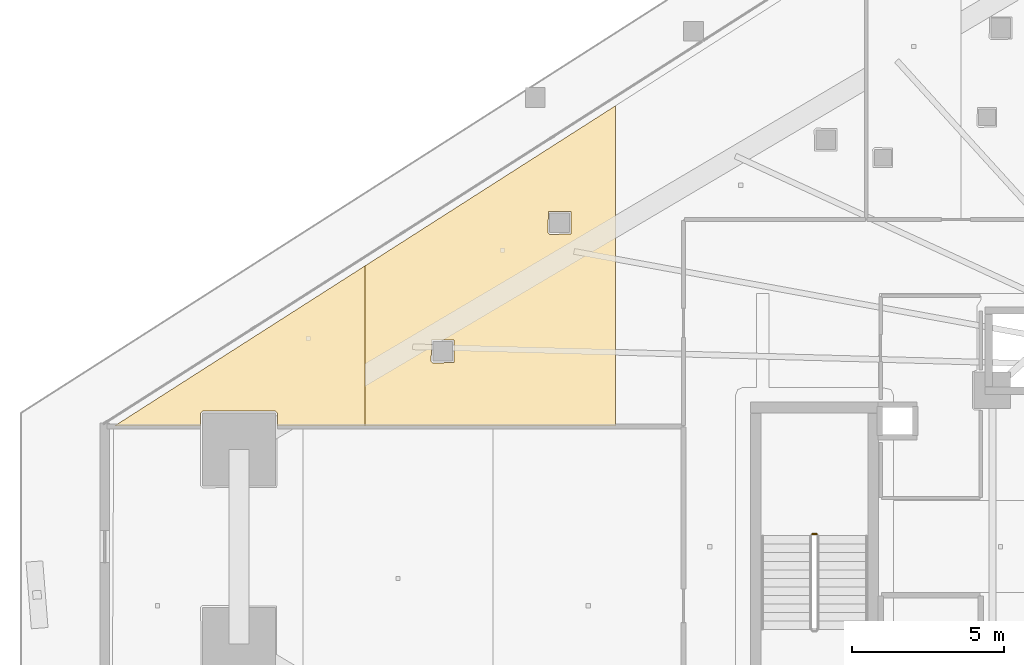
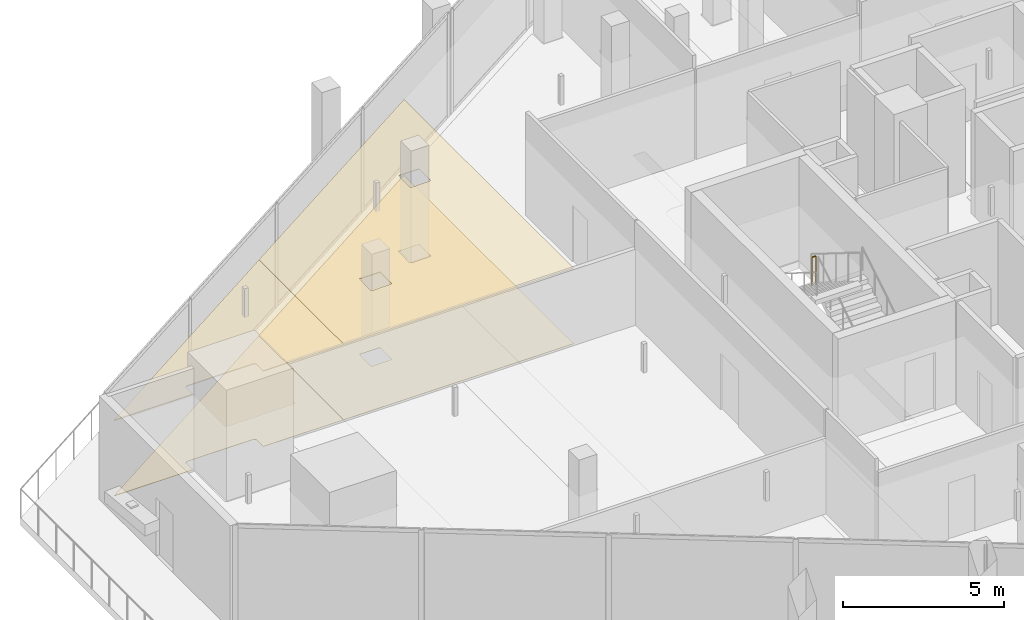
# One storey, part 40 of 44: 4 coverings, 1 railing.
"""IFC4 building model written with IfcOpenShell, lengths in metres."""

from ifc_helpers import new_model, si_unit, direction, frame, origin, origin_2d, place, context, subcontext, project, spatial, polyline, circle, outline, extrude, material, layer, layer_set, type_object, element, save


model = new_model("IFC4")

# Units and contexts
model_context = context("Model", 3, precision=1e-05, world=origin(), true_north=direction((0.0, 1.0)))
body_context = subcontext(model_context, "Body", "Model", "MODEL_VIEW")
ifc_project = project(units=[si_unit("LENGTHUNIT", "METRE"), si_unit("AREAUNIT", "SQUARE_METRE"), si_unit("VOLUMEUNIT", "CUBIC_METRE"), si_unit("PLANEANGLEUNIT", "RADIAN"), si_unit("MASSUNIT", "GRAM", prefix="KILO")], contexts=[model_context])

# Site, building, storey
site_placement = place(None, origin())
site = spatial("IfcSite", under=ifc_project, at=site_placement, CompositionType="ELEMENT")
building_placement = place(site_placement, origin())
building = spatial("IfcBuilding", under=site, at=building_placement, Name="Qorvath Tower", CompositionType="ELEMENT")
storey_placement = place(building_placement, frame((0.0, 0.0, 70.199951171875)))
storey = spatial("IfcBuildingStorey", under=building, at=storey_placement, Name="L15", CompositionType="ELEMENT", Elevation=70.199951171875)

# Coverings
ifc_material_1 = material(Name="Acoustic mineral fibre ceiling tile", Category="gypsum")
ifc_layer_1 = layer(ifc_material_1, 0.030029296875)
ifc_layer_set_1 = layer_set([ifc_layer_1], Name="COV-CEIL")
covering_type_1 = type_object("IfcCoveringType", Name="COV-CEIL", PredefinedType="CEILING", material=ifc_layer_set_1)
covering_1_placement = place(storey_placement, frame((0.0, 0.0, 2.85009765625)))
element("IfcCovering", 1, at=covering_1_placement, inside=storey, type_object=covering_type_1, Name="L15 Suspended Acoustic Ceiling 040", PredefinedType="CEILING", context=body_context, shape_type="SweptSolid", body=[
    extrude(outline(polyline([(-51.138427734375, 3.969482421875), (-51.138427734375, 9.234375), (-59.3759765625, 3.969482421875), (-56.54296875, 3.969482421875), (-56.54296875, 4.39453125), (-56.48291015625, 4.45458984375), (-54.0830078125, 4.45458984375), (-54.02294921875, 4.39453125), (-54.02294921875, 3.969482421875), (-51.138427734375, 3.969482421875)])), origin(), (0.0, 0.0, 1.0), 0.030029296875),
])
covering_2_placement = place(storey_placement, frame((0.0, 0.0, 2.85009765625)))
element("IfcCovering", 2, at=covering_2_placement, inside=storey, type_object=covering_type_1, Name="L15 Suspended Acoustic Ceiling 041", PredefinedType="CEILING", context=body_context, shape_type="SweptSolid", body=[
    extrude(outline(polyline([(-42.900634765625, 3.969482421875), (-42.900634765625, 14.499267578125), (-51.138427734375, 9.234375), (-51.138427734375, 3.969482421875), (-42.900634765625, 3.969482421875)]), holes=[polyline([(-45.121337890625, 10.327392578125), (-45.103759765625, 11.019775390625), (-44.368896484375, 11.019775390625), (-44.368896484375, 10.284912109375), (-45.061279296875, 10.267333984375), (-45.121337890625, 10.327392578125)]), polyline([(-48.96337890625, 6.099609375), (-48.94580078125, 6.7919921875), (-48.2109375, 6.7919921875), (-48.2109375, 6.05712890625), (-48.9033203125, 6.03955078125), (-48.96337890625, 6.099609375)])]), origin(), (0.0, 0.0, 1.0), 0.030029296875),
])
ifc_material_2 = material(Name="Low-VOC modular carpet tile", Category="textile")
ifc_layer_2 = layer(ifc_material_2, 0.014892578125)
ifc_layer_set_2 = layer_set([ifc_layer_2], Name="COV-FLOOR-CPT")
covering_type_2 = type_object("IfcCoveringType", Name="COV-FLOOR-CPT", PredefinedType="FLOORING", material=ifc_layer_set_2)
covering_3_placement = place(storey_placement, origin())
element("IfcCovering", 3, at=covering_3_placement, inside=storey, type_object=covering_type_2, Name="L15 Floor Finish 040", PredefinedType="FLOORING", context=body_context, shape_type="SweptSolid", body=[
    extrude(outline(polyline([(-51.138427734375, 3.969482421875), (-51.138427734375, 9.234375), (-59.3759765625, 3.969482421875), (-56.54296875, 3.969482421875), (-56.54296875, 4.39453125), (-56.48291015625, 4.45458984375), (-54.0830078125, 4.45458984375), (-54.02294921875, 4.39453125), (-54.02294921875, 3.969482421875), (-51.138427734375, 3.969482421875)])), origin(), (0.0, 0.0, 1.0), 0.01513671875),
])
covering_4_placement = place(storey_placement, origin())
element("IfcCovering", 4, at=covering_4_placement, inside=storey, type_object=covering_type_2, Name="L15 Floor Finish 041", PredefinedType="FLOORING", context=body_context, shape_type="SweptSolid", body=[
    extrude(outline(polyline([(-42.900634765625, 3.969482421875), (-42.900634765625, 14.499267578125), (-51.138427734375, 9.234375), (-51.138427734375, 3.969482421875), (-42.900634765625, 3.969482421875)]), holes=[polyline([(-45.121337890625, 10.327392578125), (-45.103759765625, 11.019775390625), (-44.368896484375, 11.019775390625), (-44.368896484375, 10.284912109375), (-45.061279296875, 10.267333984375), (-45.121337890625, 10.327392578125)]), polyline([(-48.96337890625, 6.099609375), (-48.94580078125, 6.7919921875), (-48.2109375, 6.7919921875), (-48.2109375, 6.05712890625), (-48.9033203125, 6.03955078125), (-48.96337890625, 6.099609375)])]), origin(), (0.0, 0.0, 1.0), 0.01513671875),
])

# Railing
ifc_material_3 = material(Name="Painted galvanised steel", Category="steel")
railing_type = type_object("IfcRailingType", Name="RL-STR-GRD", PredefinedType="GUARDRAIL", material=ifc_material_3)
railing_placement = place(storey_placement, frame((-36.280029296875, 0.409912109375, 2.10009765625)))
element("IfcRailing", 5, at=railing_placement, inside=storey, type_object=railing_type, Name="L15 TS3 stair guard 2", PredefinedType="GUARDRAIL", context=body_context, shape_type="SweptSolid", body=[
    extrude(circle(Radius=0.02392578125, at=origin_2d()), frame((0.0, 0.0, 1.076171875), z_axis=(-1.0, 0.0, 0.0), x_axis=(0.0, -1.0, 0.0)), (0.0, 0.0, 1.0), 0.14990234375),
    extrude(circle(Radius=0.02099609375, at=origin_2d()), origin(), (0.0, 0.0, 1.0), 1.052001953125),
    extrude(circle(Radius=0.02099609375, at=origin_2d()), frame((-0.14990234375, 0.0, 0.0)), (0.0, 0.0, 1.0), 1.052001953125),
])

save(model, "model.ifc")
